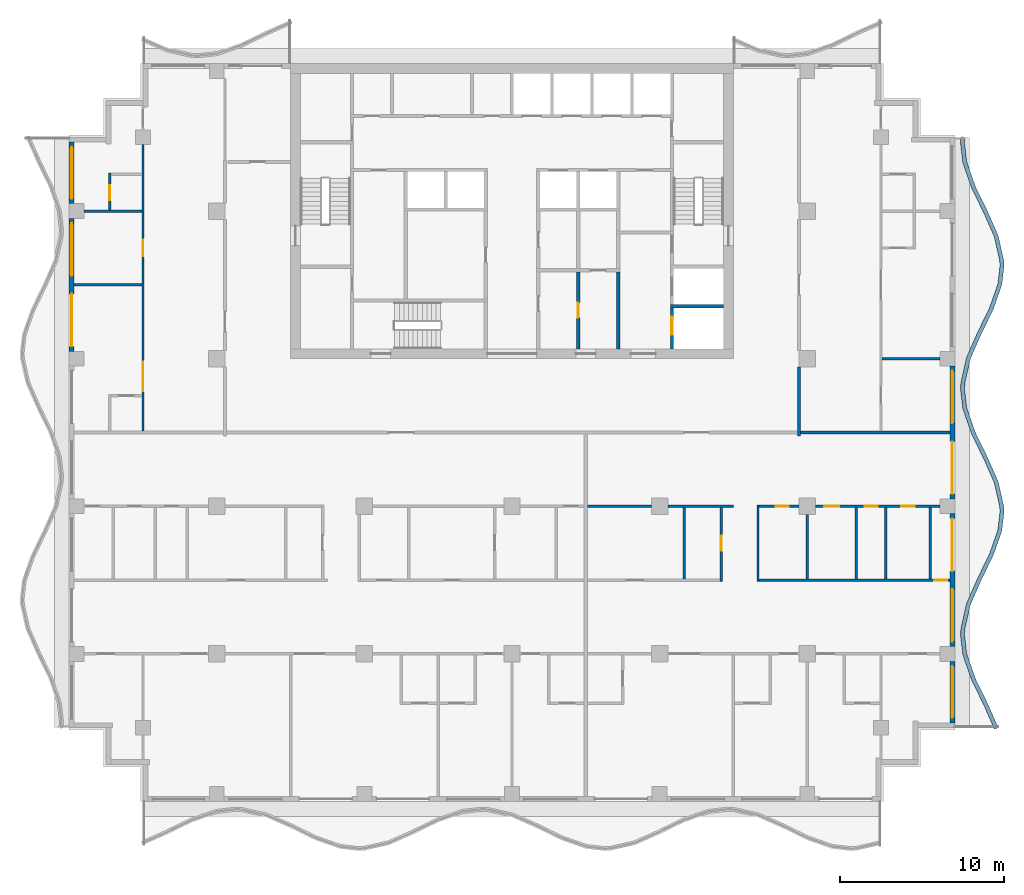
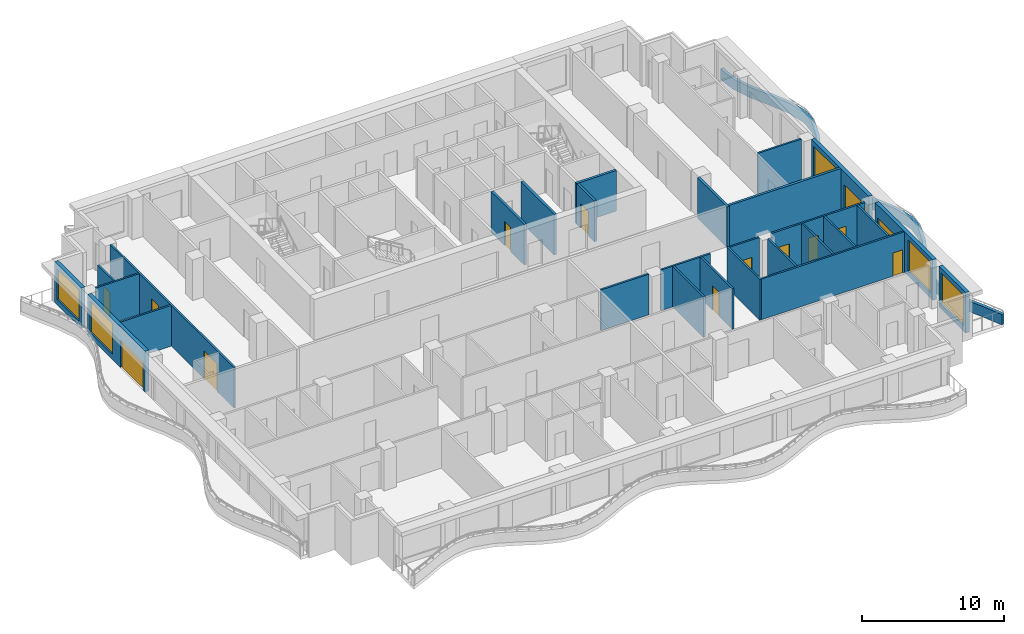
# One storey, part 4 of 11: 29 walls, 14 doors, 5 windows, 19 openings.
"""IFC4 building model written with IfcOpenShell, lengths in metres."""

import ifcopenshell
import ifcopenshell.guid

model = None  # the IFC model being written
_history = None  # IfcOwnerHistory: only IFC2X3 demands one
_inside = {}  # id of a spatial element -> (the spatial element, [elements in it])
_under = {}  # id of a project, library or spatial element -> (it, [spatial elements below it])
_declared = {}  # id of a project -> (the project, [libraries it declares])
_typed = {}  # id of a type object -> (the type object, [elements of that type])
_made_of = {}  # id of a material, layer set ... -> (it, [elements and type objects made of it])


def new_model(schema):
    """Start an empty IFC model of exactly this schema.

    Asked for "IFC4X3", IfcOpenShell would pick the latest addendum, in which some entities
    have other attributes; the version numbers below select the first issue.
    IFC2X3 requires an IfcOwnerHistory on every rooted entity: one is made here for all.
    """
    global model, _history
    if schema == "IFC4X3":
        model = ifcopenshell.file(schema_version=(4, 3, 0, 0))
    else:
        model = ifcopenshell.file(schema=schema)
    _inside.clear()
    _under.clear()
    _declared.clear()
    _typed.clear()
    _made_of.clear()
    _history = None
    if model.schema == "IFC2X3":
        org = make("IfcOrganization", Name="unknown")
        user = make(
            "IfcPersonAndOrganization",
            ThePerson=make("IfcPerson", FamilyName="unknown"),
            TheOrganization=org,
        )
        app = make(
            "IfcApplication",
            ApplicationDeveloper=org,
            Version="unknown",
            ApplicationFullName="unknown",
            ApplicationIdentifier="unknown",
        )
        _history = make(
            "IfcOwnerHistory",
            OwningUser=user,
            OwningApplication=app,
            ChangeAction="ADDED",
            CreationDate=0,
        )
    return model


def make(cls, **values):
    """One entity of the class cls with the attributes given. An attribute that is None is left unset."""
    return model.create_entity(
        cls, **{name: value for name, value in values.items() if value is not None}
    )


def rooted(cls, **values):
    """An entity with a GlobalId (a new one), such as an element, a storey or a relation."""
    return make(cls, GlobalId=ifcopenshell.guid.new(), OwnerHistory=_history, **values)


def si_unit(unit_type, name, prefix=None):
    """IfcSIUnit, for example si_unit("LENGTHUNIT", "METRE", prefix="MILLI")."""
    return make("IfcSIUnit", UnitType=unit_type, Prefix=prefix, Name=name)


def assignment(units):
    """IfcUnitAssignment: the units of a project."""
    return None if units is None else make("IfcUnitAssignment", Units=units)


def point(xyz):
    """IfcCartesianPoint."""
    return None if xyz is None else make("IfcCartesianPoint", Coordinates=xyz)


def direction(xyz):
    """IfcDirection."""
    return None if xyz is None else make("IfcDirection", DirectionRatios=xyz)


def frame(location, z_axis=None, x_axis=None):
    """IfcAxis2Placement3D, a coordinate frame: its origin and axes. An axis left out is left unset."""
    return make(
        "IfcAxis2Placement3D",
        Location=point(location),
        Axis=direction(z_axis),
        RefDirection=direction(x_axis),
    )


def frame_2d(location, x_axis=None):
    """IfcAxis2Placement2D, a coordinate frame in the plane: its origin and x axis."""
    return make(
        "IfcAxis2Placement2D", Location=point(location), RefDirection=direction(x_axis)
    )


def origin():
    """The frame at (0, 0, 0) with its axes left unset."""
    return frame((0.0, 0.0, 0.0))


def place(relative_to, where):
    """IfcLocalPlacement: puts the frame where relative to a parent placement (None: the world)."""
    return make(
        "IfcLocalPlacement", PlacementRelTo=relative_to, RelativePlacement=where
    )


def context(
    kind, dimensions, precision=None, world=None, true_north=None, identifier=None
):
    """IfcGeometricRepresentationContext, for example the 3D "Model" context."""
    return make(
        "IfcGeometricRepresentationContext",
        ContextIdentifier=identifier,
        ContextType=kind,
        CoordinateSpaceDimension=dimensions,
        Precision=precision,
        WorldCoordinateSystem=world,
        TrueNorth=true_north,
    )


def subcontext(parent, identifier, kind, view, scale=None):
    """IfcGeometricRepresentationSubContext, for example "Body" below "Model"."""
    return make(
        "IfcGeometricRepresentationSubContext",
        ContextIdentifier=identifier,
        ContextType=kind,
        ParentContext=parent,
        TargetScale=scale,
        TargetView=view,
    )


def project(units=None, contexts=None):
    """IfcProject with its units and contexts."""
    return rooted(
        "IfcProject",
        Name="project",
        RepresentationContexts=contexts,
        UnitsInContext=assignment(units),
    )


def spatial(cls, under=None, at=None, **own):
    """A site, building, storey or space (cls), placed at a placement, below another one or the project."""
    s = rooted(cls, ObjectPlacement=at, **own)
    if under is not None:
        _under.setdefault(under.id(), (under, []))[1].append(s)
    return s


def polyline(points):
    """IfcPolyline through the points."""
    return make("IfcPolyline", Points=[point(p) for p in points])


def profile(cls, at=None, kind="AREA", **sizes):
    """A parametric profile (cls). Its sizes go by their IFC names, for example OverallWidth=200.0."""
    return make(cls, ProfileType=kind, Position=at, **sizes)


def rectangle(**sizes):
    """IfcRectangleProfileDef."""
    return profile("IfcRectangleProfileDef", **sizes)


def outline(outer, holes=None, kind="AREA"):
    """IfcArbitraryClosedProfileDef: a profile drawn as a closed curve; with holes, ...WithVoids."""
    if holes is None:
        return make("IfcArbitraryClosedProfileDef", ProfileType=kind, OuterCurve=outer)
    return make(
        "IfcArbitraryProfileDefWithVoids",
        ProfileType=kind,
        OuterCurve=outer,
        InnerCurves=holes,
    )


def extrude(swept, where, along, depth):
    """IfcExtrudedAreaSolid: the profile swept, set in the frame where, extruded along a direction by depth."""
    return make(
        "IfcExtrudedAreaSolid",
        SweptArea=swept,
        Position=where,
        ExtrudedDirection=direction(along),
        Depth=depth,
    )


def shape(context_of_items, identifier, shape_type, items):
    """IfcShapeRepresentation: the items that make up one representation, for example the "Body"."""
    return make(
        "IfcShapeRepresentation",
        ContextOfItems=context_of_items,
        RepresentationIdentifier=identifier,
        RepresentationType=shape_type,
        Items=items,
    )


def material(Name=None, Category=None):
    """IfcMaterial."""
    return make("IfcMaterial", Name=Name, Category=Category)


def layer(
    of_material, thickness, ventilated=None, Name=None, Category=None, Priority=None
):
    """IfcMaterialLayer: one layer of a wall or slab, of a material (None: an air gap)."""
    return make(
        "IfcMaterialLayer",
        Material=of_material,
        LayerThickness=thickness,
        IsVentilated=ventilated,
        Name=Name,
        Category=Category,
        Priority=Priority,
    )


def layer_set(layers, Name=None):
    """IfcMaterialLayerSet."""
    return make("IfcMaterialLayerSet", MaterialLayers=layers, LayerSetName=Name)


def made_of(thing, what):
    """Note that an element or type object is made of a material, layer set ...; save() writes the relation."""
    if what is not None:
        _made_of.setdefault(what.id(), (what, []))[1].append(thing)
    return thing


def type_object(cls, material=None, **own):
    """A type object (cls), such as IfcWallType, which elements share."""
    return made_of(rooted(cls, **own), material)


def element(
    cls,
    number,
    at=None,
    inside=None,
    cuts=None,
    type_object=None,
    material=None,
    context=None,
    identifier="Body",
    shape_type=None,
    held_by="IfcProductDefinitionShape",
    body=None,
    shapes=None,
    **own,
):
    """One element of the class cls, such as IfcWall. Its Tag is "e" and its number.

    at: its placement. inside: the storey or other place that contains it. cuts: it is an
    opening in that element (IfcRelVoidsElement). A single representation is given by context,
    identifier, shape_type and body (its items); several are given by shapes. held_by: the class
    of the entity that holds the representations. save() writes the other relations.
    """
    e = rooted(cls, Tag="e%d" % number, ObjectPlacement=at, **own)
    if body is not None:
        shapes = [shape(context, identifier, shape_type, body)]
    if shapes is not None:
        e.Representation = make(held_by, Representations=shapes)
    if inside is not None:
        _inside.setdefault(inside.id(), (inside, []))[1].append(e)
    if cuts is not None:
        rooted(
            "IfcRelVoidsElement", RelatingBuildingElement=cuts, RelatedOpeningElement=e
        )
    if type_object is not None:
        _typed.setdefault(type_object.id(), (type_object, []))[1].append(e)
    return made_of(e, material)


def fill(opening, filler):
    """IfcRelFillsElement: the door or window that sits in an opening."""
    return rooted(
        "IfcRelFillsElement",
        RelatingOpeningElement=opening,
        RelatedBuildingElement=filler,
    )


def aggregate(whole, parts):
    """IfcRelAggregates: a whole, such as a stair, and the parts it consists of."""
    return rooted("IfcRelAggregates", RelatingObject=whole, RelatedObjects=parts)


def save(model, path):
    """Write the relations noted so far, then the file.

    IfcRelAggregates (storeys below a building ...), IfcRelContainedInSpatialStructure (elements
    in a storey), IfcRelDefinesByType, IfcRelAssociatesMaterial and IfcRelDeclares: one each for
    every whole, place, type object, material and project.
    """
    for whole, parts in _under.values():
        aggregate(whole, parts)
    for where, things in _inside.values():
        rooted(
            "IfcRelContainedInSpatialStructure",
            RelatedElements=things,
            RelatingStructure=where,
        )
    for kind, things in _typed.values():
        rooted("IfcRelDefinesByType", RelatedObjects=things, RelatingType=kind)
    for what, things in _made_of.values():
        rooted("IfcRelAssociatesMaterial", RelatedObjects=things, RelatingMaterial=what)
    for by, libraries in _declared.values():
        rooted("IfcRelDeclares", RelatingContext=by, RelatedDefinitions=libraries)
    model.write(path)


model = new_model("IFC4")

# Units and contexts
model_context = context("Model", 3, precision=1e-05, world=origin(), true_north=direction((0.0, 1.0)))
body_context = subcontext(model_context, "Body", "Model", "MODEL_VIEW")
ifc_project = project(units=[si_unit("LENGTHUNIT", "METRE"), si_unit("AREAUNIT", "SQUARE_METRE"), si_unit("VOLUMEUNIT", "CUBIC_METRE"), si_unit("PLANEANGLEUNIT", "RADIAN"), si_unit("MASSUNIT", "GRAM", prefix="KILO")], contexts=[model_context])

# Site, building, storey
site_placement = place(None, origin())
site = spatial("IfcSite", under=ifc_project, at=site_placement, CompositionType="ELEMENT")
building_placement = place(site_placement, origin())
building = spatial("IfcBuilding", under=site, at=building_placement, Name="Orbiselva Terraces", CompositionType="ELEMENT")
storey_placement = place(building_placement, frame((0.0, 0.0, 254.0)))
storey = spatial("IfcBuildingStorey", under=building, at=storey_placement, Name="L64", CompositionType="ELEMENT", Elevation=254.0)

# Wall, opening, door
ifc_material_1 = material(Name="Masonry blockwork", Category="masonry")
ifc_layer_1 = layer(ifc_material_1, 0.2)
ifc_layer_set_1 = layer_set([ifc_layer_1], Name="Masonry blockwork")
wall_type_1 = type_object("IfcWallType", Name="CORE-WALL-PARTITION-200", PredefinedType="PARTITIONING", material=ifc_layer_set_1)
wall_1_placement = place(storey_placement, frame((4.0375, 9.8, 0.0), z_axis=(0.0, 0.0, 1.0), x_axis=(0.0, -1.0, 0.0)))
wall_1 = element("IfcWall", 1, at=wall_1_placement, inside=storey, type_object=wall_type_1, Name="L64 core wall 29", PredefinedType="PARTITIONING", context=body_context, shape_type="SweptSolid", body=[
    extrude(rectangle(XDim=4.7, YDim=0.2, at=frame_2d((2.35, 0.0))), origin(), (0.0, 0.0, 1.0), 3.5),
])
opening_1_placement = place(wall_1_placement, frame((1.9, 0.0, 0.0)))
opening_1 = element("IfcOpeningElement", 2, at=opening_1_placement, cuts=wall_1, Name="Opening DR900", PredefinedType="OPENING", context=body_context, shape_type="SweptSolid", body=[
    extrude(rectangle(XDim=0.9, YDim=2.1, at=frame_2d((0.45, 1.05))), frame((0.0, 0.11, 0.0), z_axis=(0.0, -1.0, 0.0), x_axis=(1.0, 0.0, 0.0)), (0.0, 0.0, 1.0), 0.22),
])
ifc_material_2 = material(Name="Steel fire door", Category="steel")
door_type_1 = type_object("IfcDoorType", Name="ROOM DOOR 900", OperationType="NOTDEFINED", PredefinedType="DOOR", material=ifc_material_2)
door_1_placement = place(opening_1_placement, origin())
door_1 = element("IfcDoor", 3, at=door_1_placement, inside=storey, type_object=door_type_1, Name="L64 SPARE PARTS STORE door", OperationType="SINGLE_SWING_LEFT", OverallHeight=2.1, OverallWidth=0.9, PredefinedType="DOOR", context=body_context, shape_type="SweptSolid", body=[
    extrude(rectangle(XDim=0.9, YDim=2.1, at=frame_2d((0.45, 1.05))), frame((0.0, 0.025, 0.0), z_axis=(0.0, -1.0, 0.0), x_axis=(1.0, 0.0, 0.0)), (0.0, 0.0, 1.0), 0.05),
])
fill(opening_1, door_1)

# Wall
ifc_material_3 = material(Name="Concrete C60/75", Category="concrete")
ifc_layer_2 = layer(ifc_material_3, 0.2)
ifc_layer_set_2 = layer_set([ifc_layer_2], Name="Concrete C60/75")
wall_type_2 = type_object("IfcWallType", Name="CORE-WALL-SHEAR-200", PredefinedType="SHEAR", material=ifc_layer_set_2)
wall_2_placement = place(storey_placement, frame((6.475, 5.1, 0.0), z_axis=(0.0, 0.0, 1.0), x_axis=(0.0, 1.0, 0.0)))
element("IfcWall", 4, at=wall_2_placement, inside=storey, type_object=wall_type_2, Name="L64 core wall 33", PredefinedType="SHEAR", context=body_context, shape_type="SweptSolid", body=[
    extrude(rectangle(XDim=4.7, YDim=0.2, at=frame_2d((2.35, 0.0))), origin(), (0.0, 0.0, 1.0), 3.5),
])

# Wall, opening, door
wall_3_placement = place(storey_placement, frame((9.75, 5.1, 0.0), z_axis=(0.0, 0.0, 1.0), x_axis=(0.0, 1.0, 0.0)))
wall_3 = element("IfcWall", 5, at=wall_3_placement, inside=storey, type_object=wall_type_2, Name="L64 core wall 39", PredefinedType="SHEAR", context=body_context, shape_type="SweptSolid", body=[
    extrude(rectangle(XDim=2.5, YDim=0.2, at=frame_2d((1.25, 0.0))), origin(), (0.0, 0.0, 1.0), 3.5),
])
opening_2_placement = place(wall_3_placement, frame((0.85, 0.0, 0.0)))
opening_2 = element("IfcOpeningElement", 6, at=opening_2_placement, cuts=wall_3, Name="Opening LD-FF1", PredefinedType="OPENING", context=body_context, shape_type="SweptSolid", body=[
    extrude(rectangle(XDim=1.1, YDim=2.1, at=frame_2d((0.55, 1.05))), frame((0.0, 0.11, 0.0), z_axis=(0.0, -1.0, 0.0), x_axis=(1.0, 0.0, 0.0)), (0.0, 0.0, 1.0), 0.22),
])
ifc_material_4 = material(Name="Stainless steel landing door", Category="steel")
door_type_2 = type_object("IfcDoorType", Name="LANDING DOOR 1100", OperationType="SLIDING_TO_LEFT", PredefinedType="DOOR", material=ifc_material_4)
door_2_placement = place(opening_2_placement, origin())
door_2 = element("IfcDoor", 7, at=door_2_placement, inside=storey, type_object=door_type_2, Name="L64 landing door FF1", OperationType="SLIDING_TO_RIGHT", OverallHeight=2.1, OverallWidth=1.1, PredefinedType="DOOR", context=body_context, shape_type="SweptSolid", body=[
    extrude(rectangle(XDim=1.1, YDim=2.1, at=frame_2d((0.55, 1.05))), frame((0.0, 0.025, 0.0), z_axis=(0.0, -1.0, 0.0), x_axis=(1.0, 0.0, 0.0)), (0.0, 0.0, 1.0), 0.05),
])
fill(opening_2, door_2)

# Walls
wall_4_placement = place(storey_placement, frame((9.65, 7.7, 0.0), z_axis=(0.0, 0.0, 1.0), x_axis=(1.0, 0.0, 0.0)))
element("IfcWall", 8, at=wall_4_placement, inside=storey, type_object=wall_type_2, Name="L64 core wall 40", PredefinedType="SHEAR", context=body_context, shape_type="SweptSolid", body=[
    extrude(rectangle(XDim=3.25, YDim=0.2, at=frame_2d((1.625, 0.0))), origin(), (0.0, 0.0, 1.0), 3.5),
])
ifc_material_5 = material(Name="Concrete C40/50", Category="concrete")
ifc_layer_3 = layer(ifc_material_5, 0.25)
ifc_layer_set_3 = layer_set([ifc_layer_3], Name="Concrete C40/50")
wall_type_3 = type_object("IfcWallType", Name="ENV-PLANTER-250x900", PredefinedType="USERDEFINED", material=ifc_layer_set_3)
wall_5_placement = place(storey_placement, origin())
element("IfcWall", 9, at=wall_5_placement, inside=storey, type_object=wall_type_3, Name="Balcony planter L64 E", ObjectType="PLANTER", PredefinedType="USERDEFINED", context=body_context, shape_type="SweptSolid", body=[
    extrude(outline(polyline([(29.648528, -18.0), (28.987721, -16.5), (28.255211, -15.0), (27.730792, -13.5), (27.6, -12.375), (27.614774, -12.0), (27.951472, -10.5), (28.612279, -9.0), (29.344789, -7.5), (29.869208, -6.0), (30.0, -4.875), (29.985226, -4.5), (29.648528, -3.0), (28.987721, -1.5), (28.255211, 0.0), (27.730792, 1.5), (27.6, 2.625), (27.614774, 3.0), (27.951472, 4.5), (28.612279, 6.0), (29.344789, 7.5), (29.869208, 9.0), (30.0, 10.125), (29.985226, 10.5), (29.648528, 12.0), (28.987721, 13.5), (28.255211, 15.0), (27.730792, 16.5), (27.6, 17.625), (27.614774, 18.0), (27.364968, 18.009842), (27.349429, 17.615428), (27.485662, 16.443629), (28.024089, 14.90356), (28.760919, 13.394714), (29.40993, 11.921492), (29.736315, 10.467435), (29.749429, 10.134572), (29.624078, 9.056371), (29.113667, 7.59644), (28.385477, 6.105286), (27.712874, 4.578508), (27.365863, 3.032565), (27.349429, 2.615428), (27.485662, 1.443629), (28.024089, -0.09644), (28.760919, -1.605286), (29.40993, -3.078508), (29.736315, -4.532565), (29.749429, -4.865428), (29.624078, -5.943629), (29.113667, -7.40356), (28.385477, -8.894714), (27.712874, -10.421492), (27.365863, -11.967435), (27.349429, -12.384572), (27.485662, -13.556371), (28.024089, -15.09644), (28.760919, -16.605286), (29.419745, -18.100788), (29.648528, -18.0)])), origin(), (0.0, 0.0, 1.0), 0.9),
])

# Wall, opening, window
ifc_material_6 = material(Name="Terracotta cladding on masonry backing", Category="masonry")
ifc_layer_4 = layer(ifc_material_6, 0.3)
ifc_layer_set_4 = layer_set([ifc_layer_4], Name="Terracotta cladding on masonry backing")
wall_type_4 = type_object("IfcWallType", Name="ENV-WALL-TERRACOTTA-300", PredefinedType="SOLIDWALL", material=ifc_layer_set_4)
wall_6_placement = place(storey_placement, frame((26.85, -13.95, 0.0), z_axis=(0.0, 0.0, 1.0), x_axis=(0.0, -1.0, 0.0)))
wall_6 = element("IfcWall", 10, at=wall_6_placement, inside=storey, type_object=wall_type_4, Name="Facade wall L64 E", PredefinedType="SOLIDWALL", context=body_context, shape_type="SweptSolid", body=[
    extrude(rectangle(XDim=3.75, YDim=0.3, at=frame_2d((1.875, 0.0))), origin(), (0.0, 0.0, 1.0), 3.5),
])
opening_3_placement = place(wall_6_placement, frame((0.3, 0.0, 0.45)))
opening_3 = element("IfcOpeningElement", 11, at=opening_3_placement, cuts=wall_6, Name="Opening WN16", PredefinedType="OPENING", context=body_context, shape_type="SweptSolid", body=[
    extrude(rectangle(XDim=3.15, YDim=2.65, at=frame_2d((1.575, 1.325))), frame((0.0, 0.16, 0.0), z_axis=(0.0, -1.0, 0.0), x_axis=(1.0, 0.0, 0.0)), (0.0, 0.0, 1.0), 0.32),
])
ifc_material_7 = material(Name="Clear low-e glazing in aluminium frame", Category="aluminium")
window_type_1 = type_object("IfcWindowType", Name="WINDOW 3150 X 2650 S450", PartitioningType="TRIPLE_PANEL_VERTICAL", PredefinedType="WINDOW", material=ifc_material_7)
window_1_placement = place(opening_3_placement, origin())
window_1 = element("IfcWindow", 12, at=window_1_placement, inside=storey, type_object=window_type_1, Name="Window L64 E", OverallHeight=2.65, OverallWidth=3.15, PartitioningType="SINGLE_PANEL", PredefinedType="WINDOW", context=body_context, shape_type="SweptSolid", body=[
    extrude(rectangle(XDim=3.15, YDim=2.65, at=frame_2d((1.575, 1.325))), frame((0.0, 0.03, 0.0), z_axis=(0.0, -1.0, 0.0), x_axis=(1.0, 0.0, 0.0)), (0.0, 0.0, 1.0), 0.06),
])
fill(opening_3, window_1)

# Wall, openings, door, window
wall_7_placement = place(storey_placement, frame((26.85, -4.95, 0.0), z_axis=(0.0, 0.0, 1.0), x_axis=(0.0, -1.0, 0.0)))
wall_7 = element("IfcWall", 13, at=wall_7_placement, inside=storey, type_object=wall_type_4, Name="Facade wall L64 E", PredefinedType="SOLIDWALL", context=body_context, shape_type="SweptSolid", body=[
    extrude(rectangle(XDim=8.1, YDim=0.3, at=frame_2d((4.05, 0.0))), origin(), (0.0, 0.0, 1.0), 3.5),
])
opening_4_placement = place(wall_7_placement, frame((4.6, 0.0, 0.45)))
opening_4 = element("IfcOpeningElement", 14, at=opening_4_placement, cuts=wall_7, Name="Opening WN17", PredefinedType="OPENING", context=body_context, shape_type="SweptSolid", body=[
    extrude(rectangle(XDim=3.2, YDim=2.65, at=frame_2d((1.6, 1.325))), frame((0.0, 0.16, 0.0), z_axis=(0.0, -1.0, 0.0), x_axis=(1.0, 0.0, 0.0)), (0.0, 0.0, 1.0), 0.32),
])
opening_5_placement = place(wall_7_placement, frame((0.3, 0.0, 0.0)))
opening_5 = element("IfcOpeningElement", 15, at=opening_5_placement, cuts=wall_7, Name="Opening Z5-B-E14", PredefinedType="OPENING", context=body_context, shape_type="SweptSolid", body=[
    extrude(rectangle(XDim=3.2, YDim=2.4, at=frame_2d((1.6, 1.2))), frame((0.0, 0.16, 0.0), z_axis=(0.0, -1.0, 0.0), x_axis=(1.0, 0.0, 0.0)), (0.0, 0.0, 1.0), 0.32),
])
door_type_3 = type_object("IfcDoorType", Name="BALCONY DOOR 3200 X 2400", OperationType="DOUBLE_DOOR_SLIDING", PredefinedType="DOOR", material=ifc_material_7)
door_3_placement = place(opening_5_placement, origin())
door_3 = element("IfcDoor", 16, at=door_3_placement, inside=storey, type_object=door_type_3, Name="Z5-B-E14", OperationType="SINGLE_SWING_LEFT", OverallHeight=2.4, OverallWidth=3.2, PredefinedType="DOOR", context=body_context, shape_type="SweptSolid", body=[
    extrude(rectangle(XDim=3.2, YDim=2.4, at=frame_2d((1.6, 1.2))), frame((0.0, 0.025, 0.0), z_axis=(0.0, -1.0, 0.0), x_axis=(1.0, 0.0, 0.0)), (0.0, 0.0, 1.0), 0.05),
])
fill(opening_5, door_3)
window_type_2 = type_object("IfcWindowType", Name="WINDOW 3200 X 2650 S450", PartitioningType="TRIPLE_PANEL_VERTICAL", PredefinedType="WINDOW", material=ifc_material_7)
window_2_placement = place(opening_4_placement, origin())
window_2 = element("IfcWindow", 17, at=window_2_placement, inside=storey, type_object=window_type_2, Name="Window L64 E", OverallHeight=2.65, OverallWidth=3.2, PartitioningType="SINGLE_PANEL", PredefinedType="WINDOW", context=body_context, shape_type="SweptSolid", body=[
    extrude(rectangle(XDim=3.2, YDim=2.65, at=frame_2d((1.6, 1.325))), frame((0.0, 0.03, 0.0), z_axis=(0.0, -1.0, 0.0), x_axis=(1.0, 0.0, 0.0)), (0.0, 0.0, 1.0), 0.06),
])
fill(opening_4, window_2)

wall_8_placement = place(storey_placement, frame((26.85, 4.05, 0.0), z_axis=(0.0, 0.0, 1.0), x_axis=(0.0, -1.0, 0.0)))
wall_8 = element("IfcWall", 18, at=wall_8_placement, inside=storey, type_object=wall_type_4, Name="Facade wall L64 E", PredefinedType="SOLIDWALL", context=body_context, shape_type="SweptSolid", body=[
    extrude(rectangle(XDim=8.1, YDim=0.3, at=frame_2d((4.05, 0.0))), origin(), (0.0, 0.0, 1.0), 3.5),
])
opening_6_placement = place(wall_8_placement, frame((4.6, 0.0, 0.0)))
opening_6 = element("IfcOpeningElement", 19, at=opening_6_placement, cuts=wall_8, Name="Opening Z5-B-E06", PredefinedType="OPENING", context=body_context, shape_type="SweptSolid", body=[
    extrude(rectangle(XDim=3.2, YDim=2.4, at=frame_2d((1.6, 1.2))), frame((0.0, 0.16, 0.0), z_axis=(0.0, -1.0, 0.0), x_axis=(1.0, 0.0, 0.0)), (0.0, 0.0, 1.0), 0.32),
])
opening_7_placement = place(wall_8_placement, frame((0.3, 0.0, 0.45)))
opening_7 = element("IfcOpeningElement", 20, at=opening_7_placement, cuts=wall_8, Name="Opening WN17", PredefinedType="OPENING", context=body_context, shape_type="SweptSolid", body=[
    extrude(rectangle(XDim=3.2, YDim=2.65, at=frame_2d((1.6, 1.325))), frame((0.0, 0.16, 0.0), z_axis=(0.0, -1.0, 0.0), x_axis=(1.0, 0.0, 0.0)), (0.0, 0.0, 1.0), 0.32),
])
door_4_placement = place(opening_6_placement, origin())
door_4 = element("IfcDoor", 21, at=door_4_placement, inside=storey, type_object=door_type_3, Name="Z5-B-E06", OperationType="SINGLE_SWING_LEFT", OverallHeight=2.4, OverallWidth=3.2, PredefinedType="DOOR", context=body_context, shape_type="SweptSolid", body=[
    extrude(rectangle(XDim=3.2, YDim=2.4, at=frame_2d((1.6, 1.2))), frame((0.0, 0.025, 0.0), z_axis=(0.0, -1.0, 0.0), x_axis=(1.0, 0.0, 0.0)), (0.0, 0.0, 1.0), 0.05),
])
fill(opening_6, door_4)
window_3_placement = place(opening_7_placement, origin())
window_3 = element("IfcWindow", 22, at=window_3_placement, inside=storey, type_object=window_type_2, Name="Window L64 E", OverallHeight=2.65, OverallWidth=3.2, PartitioningType="SINGLE_PANEL", PredefinedType="WINDOW", context=body_context, shape_type="SweptSolid", body=[
    extrude(rectangle(XDim=3.2, YDim=2.65, at=frame_2d((1.6, 1.325))), frame((0.0, 0.03, 0.0), z_axis=(0.0, -1.0, 0.0), x_axis=(1.0, 0.0, 0.0)), (0.0, 0.0, 1.0), 0.06),
])
fill(opening_7, window_3)

# Wall, opening, window
wall_9_placement = place(storey_placement, frame((-26.85, 13.95, 0.0), z_axis=(0.0, 0.0, 1.0), x_axis=(0.0, 1.0, 0.0)))
wall_9 = element("IfcWall", 23, at=wall_9_placement, inside=storey, type_object=wall_type_4, Name="Facade wall L64 W", PredefinedType="SOLIDWALL", context=body_context, shape_type="SweptSolid", body=[
    extrude(rectangle(XDim=3.75, YDim=0.3, at=frame_2d((1.875, 0.0))), origin(), (0.0, 0.0, 1.0), 3.5),
])
opening_8_placement = place(wall_9_placement, frame((0.3, 0.0, 0.45)))
opening_8 = element("IfcOpeningElement", 24, at=opening_8_placement, cuts=wall_9, Name="Opening WN16", PredefinedType="OPENING", context=body_context, shape_type="SweptSolid", body=[
    extrude(rectangle(XDim=3.15, YDim=2.65, at=frame_2d((1.575, 1.325))), frame((0.0, 0.16, 0.0), z_axis=(0.0, -1.0, 0.0), x_axis=(1.0, 0.0, 0.0)), (0.0, 0.0, 1.0), 0.32),
])
window_4_placement = place(opening_8_placement, origin())
window_4 = element("IfcWindow", 25, at=window_4_placement, inside=storey, type_object=window_type_1, Name="Window L64 W", OverallHeight=2.65, OverallWidth=3.15, PartitioningType="SINGLE_PANEL", PredefinedType="WINDOW", context=body_context, shape_type="SweptSolid", body=[
    extrude(rectangle(XDim=3.15, YDim=2.65, at=frame_2d((1.575, 1.325))), frame((0.0, 0.03, 0.0), z_axis=(0.0, -1.0, 0.0), x_axis=(1.0, 0.0, 0.0)), (0.0, 0.0, 1.0), 0.06),
])
fill(opening_8, window_4)

# Wall, openings, door, window
wall_10_placement = place(storey_placement, frame((-26.85, 4.95, 0.0), z_axis=(0.0, 0.0, 1.0), x_axis=(0.0, 1.0, 0.0)))
wall_10 = element("IfcWall", 26, at=wall_10_placement, inside=storey, type_object=wall_type_4, Name="Facade wall L64 W", PredefinedType="SOLIDWALL", context=body_context, shape_type="SweptSolid", body=[
    extrude(rectangle(XDim=8.1, YDim=0.3, at=frame_2d((4.05, 0.0))), origin(), (0.0, 0.0, 1.0), 3.5),
])
opening_9_placement = place(wall_10_placement, frame((4.6, 0.0, 0.45)))
opening_9 = element("IfcOpeningElement", 27, at=opening_9_placement, cuts=wall_10, Name="Opening WN17", PredefinedType="OPENING", context=body_context, shape_type="SweptSolid", body=[
    extrude(rectangle(XDim=3.2, YDim=2.65, at=frame_2d((1.6, 1.325))), frame((0.0, 0.16, 0.0), z_axis=(0.0, -1.0, 0.0), x_axis=(1.0, 0.0, 0.0)), (0.0, 0.0, 1.0), 0.32),
])
opening_10_placement = place(wall_10_placement, frame((0.3, 0.0, 0.0)))
opening_10 = element("IfcOpeningElement", 28, at=opening_10_placement, cuts=wall_10, Name="Opening Z5-B-E17", PredefinedType="OPENING", context=body_context, shape_type="SweptSolid", body=[
    extrude(rectangle(XDim=3.2, YDim=2.4, at=frame_2d((1.6, 1.2))), frame((0.0, 0.16, 0.0), z_axis=(0.0, -1.0, 0.0), x_axis=(1.0, 0.0, 0.0)), (0.0, 0.0, 1.0), 0.32),
])
door_5_placement = place(opening_10_placement, origin())
door_5 = element("IfcDoor", 29, at=door_5_placement, inside=storey, type_object=door_type_3, Name="Z5-B-E17", OperationType="SINGLE_SWING_LEFT", OverallHeight=2.4, OverallWidth=3.2, PredefinedType="DOOR", context=body_context, shape_type="SweptSolid", body=[
    extrude(rectangle(XDim=3.2, YDim=2.4, at=frame_2d((1.6, 1.2))), frame((0.0, 0.025, 0.0), z_axis=(0.0, -1.0, 0.0), x_axis=(1.0, 0.0, 0.0)), (0.0, 0.0, 1.0), 0.05),
])
fill(opening_10, door_5)
window_5_placement = place(opening_9_placement, origin())
window_5 = element("IfcWindow", 30, at=window_5_placement, inside=storey, type_object=window_type_2, Name="Window L64 W", OverallHeight=2.65, OverallWidth=3.2, PartitioningType="SINGLE_PANEL", PredefinedType="WINDOW", context=body_context, shape_type="SweptSolid", body=[
    extrude(rectangle(XDim=3.2, YDim=2.65, at=frame_2d((1.6, 1.325))), frame((0.0, 0.03, 0.0), z_axis=(0.0, -1.0, 0.0), x_axis=(1.0, 0.0, 0.0)), (0.0, 0.0, 1.0), 0.06),
])
fill(opening_9, window_5)

# Wall
ifc_material_8 = material(Name="Plasterboard on steel stud partition", Category="steel")
ifc_layer_5 = layer(ifc_material_8, 0.2)
ifc_layer_set_5 = layer_set([ifc_layer_5], Name="Plasterboard on steel stud partition")
wall_type_5 = type_object("IfcWallType", Name="UNIT-ENTRANCE-WALL-200", PredefinedType="PARTITIONING", material=ifc_layer_set_5)
wall_11_placement = place(storey_placement, frame((17.5, -0.2, 0.0), z_axis=(0.0, 0.0, 1.0), x_axis=(0.0, 1.0, 0.0)))
element("IfcWall", 31, at=wall_11_placement, inside=storey, type_object=wall_type_5, Name="PARTITION L64-071", PredefinedType="PARTITIONING", context=body_context, shape_type="SweptSolid", body=[
    extrude(rectangle(XDim=4.2, YDim=0.2, at=frame_2d((2.1, 0.0))), origin(), (0.0, 0.0, 1.0), 3.5),
])

# Wall, opening, door
ifc_layer_6 = layer(ifc_material_8, 0.15)
ifc_layer_set_6 = layer_set([ifc_layer_6], Name="Plasterboard on steel stud partition")
wall_type_6 = type_object("IfcWallType", Name="UNIT-PARTITION-150", PredefinedType="PARTITIONING", material=ifc_layer_set_6)
wall_12_placement = place(storey_placement, frame((15.075, -9.0, 0.0), z_axis=(0.0, 0.0, 1.0), x_axis=(1.0, 0.0, 0.0)))
wall_12 = element("IfcWall", 32, at=wall_12_placement, inside=storey, type_object=wall_type_6, Name="PARTITION L64-017", PredefinedType="PARTITIONING", context=body_context, shape_type="SweptSolid", body=[
    extrude(rectangle(XDim=11.625, YDim=0.15, at=frame_2d((5.8125, 0.0))), origin(), (0.0, 0.0, 1.0), 3.5),
])
opening_11_placement = place(wall_12_placement, frame((10.675, 0.0, 0.0)))
opening_11 = element("IfcOpeningElement", 33, at=opening_11_placement, cuts=wall_12, Name="Opening Z5-B-39", PredefinedType="OPENING", context=body_context, shape_type="SweptSolid", body=[
    extrude(rectangle(XDim=0.8, YDim=2.0, at=frame_2d((0.4, 1.0))), frame((0.0, 0.085, 0.0), z_axis=(0.0, -1.0, 0.0), x_axis=(1.0, 0.0, 0.0)), (0.0, 0.0, 1.0), 0.17),
])
ifc_material_9 = material(Name="Painted timber door leaf", Category="wood")
door_type_4 = type_object("IfcDoorType", Name="STORE DOOR 800", OperationType="NOTDEFINED", PredefinedType="DOOR", material=ifc_material_9)
door_6_placement = place(opening_11_placement, origin())
door_6 = element("IfcDoor", 34, at=door_6_placement, inside=storey, type_object=door_type_4, Name="Z5-B-39", OperationType="SINGLE_SWING_RIGHT", OverallHeight=2.0, OverallWidth=0.8, PredefinedType="DOOR", context=body_context, shape_type="SweptSolid", body=[
    extrude(rectangle(XDim=0.8, YDim=2.0, at=frame_2d((0.4, 1.0))), frame((0.0, 0.025, 0.0), z_axis=(0.0, -1.0, 0.0), x_axis=(1.0, 0.0, 0.0)), (0.0, 0.0, 1.0), 0.05),
])
fill(opening_11, door_6)

# Walls
wall_13_placement = place(storey_placement, frame((4.6, -4.5, 0.0), z_axis=(0.0, 0.0, 1.0), x_axis=(1.0, 0.0, 0.0)))
element("IfcWall", 35, at=wall_13_placement, inside=storey, type_object=wall_type_6, Name="PARTITION L64-022", PredefinedType="PARTITIONING", context=body_context, shape_type="SweptSolid", body=[
    extrude(rectangle(XDim=3.9, YDim=0.15, at=frame_2d((1.95, 0.0))), origin(), (0.0, 0.0, 1.0), 3.5),
])
wall_14_placement = place(storey_placement, frame((9.5, -4.5, 0.0), z_axis=(0.0, 0.0, 1.0), x_axis=(1.0, 0.0, 0.0)))
element("IfcWall", 36, at=wall_14_placement, inside=storey, type_object=wall_type_6, Name="PARTITION L64-023", PredefinedType="PARTITIONING", context=body_context, shape_type="SweptSolid", body=[
    extrude(rectangle(XDim=4.0, YDim=0.15, at=frame_2d((2.0, 0.0))), origin(), (0.0, 0.0, 1.0), 3.5),
])

# Wall, opening, door
wall_15_placement = place(storey_placement, frame((17.5, -4.5, 0.0), z_axis=(0.0, 0.0, 1.0), x_axis=(-1.0, 0.0, 0.0)))
wall_15 = element("IfcWall", 37, at=wall_15_placement, inside=storey, type_object=wall_type_6, Name="PARTITION L64-024", PredefinedType="PARTITIONING", context=body_context, shape_type="SweptSolid", body=[
    extrude(rectangle(XDim=2.425, YDim=0.15, at=frame_2d((1.2125, 0.0))), origin(), (0.0, 0.0, 1.0), 3.5),
])
opening_12_placement = place(wall_15_placement, frame((0.625, 0.0, 0.0)))
opening_12 = element("IfcOpeningElement", 38, at=opening_12_placement, cuts=wall_15, Name="Opening Z5-B-35", PredefinedType="OPENING", context=body_context, shape_type="SweptSolid", body=[
    extrude(rectangle(XDim=0.8, YDim=2.0, at=frame_2d((0.4, 1.0))), frame((0.0, 0.085, 0.0), z_axis=(0.0, -1.0, 0.0), x_axis=(1.0, 0.0, 0.0)), (0.0, 0.0, 1.0), 0.17),
])
door_7_placement = place(opening_12_placement, origin())
door_7 = element("IfcDoor", 39, at=door_7_placement, inside=storey, type_object=door_type_4, Name="Z5-B-35", OperationType="SINGLE_SWING_LEFT", OverallHeight=2.0, OverallWidth=0.8, PredefinedType="DOOR", context=body_context, shape_type="SweptSolid", body=[
    extrude(rectangle(XDim=0.8, YDim=2.0, at=frame_2d((0.4, 1.0))), frame((0.0, 0.025, 0.0), z_axis=(0.0, -1.0, 0.0), x_axis=(1.0, 0.0, 0.0)), (0.0, 0.0, 1.0), 0.05),
])
fill(opening_12, door_7)

# Wall, openings, doors
wall_16_placement = place(storey_placement, frame((26.1, -4.5, 0.0), z_axis=(0.0, 0.0, 1.0), x_axis=(-1.0, 0.0, 0.0)))
wall_16 = element("IfcWall", 40, at=wall_16_placement, inside=storey, type_object=wall_type_6, Name="PARTITION L64-025", PredefinedType="PARTITIONING", context=body_context, shape_type="SweptSolid", body=[
    extrude(rectangle(XDim=7.6, YDim=0.15, at=frame_2d((3.8, 0.0))), origin(), (0.0, 0.0, 1.0), 3.5),
])
opening_13_placement = place(wall_16_placement, frame((6.15, 0.0, 0.0)))
opening_13 = element("IfcOpeningElement", 41, at=opening_13_placement, cuts=wall_16, Name="Opening Z5-B-36", PredefinedType="OPENING", context=body_context, shape_type="SweptSolid", body=[
    extrude(rectangle(XDim=0.9, YDim=2.1, at=frame_2d((0.45, 1.05))), frame((0.0, 0.085, 0.0), z_axis=(0.0, -1.0, 0.0), x_axis=(1.0, 0.0, 0.0)), (0.0, 0.0, 1.0), 0.17),
])
opening_14_placement = place(wall_16_placement, frame((3.8, 0.0, 0.0)))
opening_14 = element("IfcOpeningElement", 42, at=opening_14_placement, cuts=wall_16, Name="Opening Z5-B-37", PredefinedType="OPENING", context=body_context, shape_type="SweptSolid", body=[
    extrude(rectangle(XDim=0.8, YDim=2.0, at=frame_2d((0.4, 1.0))), frame((0.0, 0.085, 0.0), z_axis=(0.0, -1.0, 0.0), x_axis=(1.0, 0.0, 0.0)), (0.0, 0.0, 1.0), 0.17),
])
opening_15_placement = place(wall_16_placement, frame((1.55, 0.0, 0.0)))
opening_15 = element("IfcOpeningElement", 43, at=opening_15_placement, cuts=wall_16, Name="Opening Z5-B-38", PredefinedType="OPENING", context=body_context, shape_type="SweptSolid", body=[
    extrude(rectangle(XDim=0.8, YDim=2.0, at=frame_2d((0.4, 1.0))), frame((0.0, 0.085, 0.0), z_axis=(0.0, -1.0, 0.0), x_axis=(1.0, 0.0, 0.0)), (0.0, 0.0, 1.0), 0.17),
])
door_type_5 = type_object("IfcDoorType", Name="SERVICE DOOR 900", OperationType="NOTDEFINED", PredefinedType="DOOR", material=ifc_material_9)
door_8_placement = place(opening_13_placement, origin())
door_8 = element("IfcDoor", 44, at=door_8_placement, inside=storey, type_object=door_type_5, Name="Z5-B-36", OperationType="SINGLE_SWING_RIGHT", OverallHeight=2.1, OverallWidth=0.9, PredefinedType="DOOR", context=body_context, shape_type="SweptSolid", body=[
    extrude(rectangle(XDim=0.9, YDim=2.1, at=frame_2d((0.45, 1.05))), frame((0.0, 0.025, 0.0), z_axis=(0.0, -1.0, 0.0), x_axis=(1.0, 0.0, 0.0)), (0.0, 0.0, 1.0), 0.05),
])
fill(opening_13, door_8)
door_9_placement = place(opening_14_placement, origin())
door_9 = element("IfcDoor", 45, at=door_9_placement, inside=storey, type_object=door_type_4, Name="Z5-B-37", OperationType="SINGLE_SWING_RIGHT", OverallHeight=2.0, OverallWidth=0.8, PredefinedType="DOOR", context=body_context, shape_type="SweptSolid", body=[
    extrude(rectangle(XDim=0.8, YDim=2.0, at=frame_2d((0.4, 1.0))), frame((0.0, 0.025, 0.0), z_axis=(0.0, -1.0, 0.0), x_axis=(1.0, 0.0, 0.0)), (0.0, 0.0, 1.0), 0.05),
])
fill(opening_14, door_9)
door_10_placement = place(opening_15_placement, origin())
door_10 = element("IfcDoor", 46, at=door_10_placement, inside=storey, type_object=door_type_4, Name="Z5-B-38", OperationType="SINGLE_SWING_LEFT", OverallHeight=2.0, OverallWidth=0.8, PredefinedType="DOOR", context=body_context, shape_type="SweptSolid", body=[
    extrude(rectangle(XDim=0.8, YDim=2.0, at=frame_2d((0.4, 1.0))), frame((0.0, 0.025, 0.0), z_axis=(0.0, -1.0, 0.0), x_axis=(1.0, 0.0, 0.0)), (0.0, 0.0, 1.0), 0.05),
])
fill(opening_15, door_10)

# Walls
wall_17_placement = place(storey_placement, frame((22.575, 4.5, 0.0), z_axis=(0.0, 0.0, 1.0), x_axis=(1.0, 0.0, 0.0)))
element("IfcWall", 47, at=wall_17_placement, inside=storey, type_object=wall_type_6, Name="PARTITION L64-030", PredefinedType="PARTITIONING", context=body_context, shape_type="SweptSolid", body=[
    extrude(rectangle(XDim=3.525, YDim=0.15, at=frame_2d((1.7625, 0.0))), origin(), (0.0, 0.0, 1.0), 3.5),
])
wall_18_placement = place(storey_placement, frame((-26.7, 9.0, 0.0), z_axis=(0.0, 0.0, 1.0), x_axis=(1.0, 0.0, 0.0)))
element("IfcWall", 48, at=wall_18_placement, inside=storey, type_object=wall_type_6, Name="PARTITION L64-031", PredefinedType="PARTITIONING", context=body_context, shape_type="SweptSolid", body=[
    extrude(rectangle(XDim=4.125, YDim=0.15, at=frame_2d((2.0625, 0.0))), origin(), (0.0, 0.0, 1.0), 3.5),
])
wall_19_placement = place(storey_placement, frame((-26.1, 13.5, 0.0), z_axis=(0.0, 0.0, 1.0), x_axis=(1.0, 0.0, 0.0)))
element("IfcWall", 49, at=wall_19_placement, inside=storey, type_object=wall_type_6, Name="PARTITION L64-033", PredefinedType="PARTITIONING", context=body_context, shape_type="SweptSolid", body=[
    extrude(rectangle(XDim=3.525, YDim=0.15, at=frame_2d((1.7625, 0.0))), origin(), (0.0, 0.0, 1.0), 3.5),
])

# Wall, opening, door
wall_20_placement = place(storey_placement, frame((-24.525, 15.825, 0.0), z_axis=(0.0, 0.0, 1.0), x_axis=(0.0, -1.0, 0.0)))
wall_20 = element("IfcWall", 50, at=wall_20_placement, inside=storey, type_object=wall_type_6, Name="PARTITION L64-040", PredefinedType="PARTITIONING", context=body_context, shape_type="SweptSolid", body=[
    extrude(rectangle(XDim=2.25, YDim=0.15, at=frame_2d((1.125, 0.0))), origin(), (0.0, 0.0, 1.0), 3.5),
])
opening_16_placement = place(wall_20_placement, frame((0.75, 0.0, 0.0)))
opening_16 = element("IfcOpeningElement", 51, at=opening_16_placement, cuts=wall_20, Name="Opening Z5-B-07", PredefinedType="OPENING", context=body_context, shape_type="SweptSolid", body=[
    extrude(rectangle(XDim=0.9, YDim=2.1, at=frame_2d((0.45, 1.05))), frame((0.0, 0.085, 0.0), z_axis=(0.0, -1.0, 0.0), x_axis=(1.0, 0.0, 0.0)), (0.0, 0.0, 1.0), 0.17),
])
door_type_6 = type_object("IfcDoorType", Name="BATH DOOR 900", OperationType="NOTDEFINED", PredefinedType="DOOR", material=ifc_material_9)
door_11_placement = place(opening_16_placement, origin())
door_11 = element("IfcDoor", 52, at=door_11_placement, inside=storey, type_object=door_type_6, Name="Z5-B-07", OperationType="SINGLE_SWING_RIGHT", OverallHeight=2.1, OverallWidth=0.9, PredefinedType="DOOR", context=body_context, shape_type="SweptSolid", body=[
    extrude(rectangle(XDim=0.9, YDim=2.1, at=frame_2d((0.45, 1.05))), frame((0.0, 0.025, 0.0), z_axis=(0.0, -1.0, 0.0), x_axis=(1.0, 0.0, 0.0)), (0.0, 0.0, 1.0), 0.05),
])
fill(opening_16, door_11)

# Wall, openings, doors
wall_21_placement = place(storey_placement, frame((-22.5, 0.1, 0.0), z_axis=(0.0, 0.0, 1.0), x_axis=(0.0, 1.0, 0.0)))
wall_21 = element("IfcWall", 53, at=wall_21_placement, inside=storey, type_object=wall_type_6, Name="PARTITION L64-044", PredefinedType="PARTITIONING", context=body_context, shape_type="SweptSolid", body=[
    extrude(rectangle(XDim=17.45, YDim=0.15, at=frame_2d((8.725, 0.0))), origin(), (0.0, 0.0, 1.0), 3.5),
])
opening_17_placement = place(wall_21_placement, frame((2.4, 0.0, 0.0)))
opening_17 = element("IfcOpeningElement", 54, at=opening_17_placement, cuts=wall_21, Name="Opening Z5-B-03", PredefinedType="OPENING", context=body_context, shape_type="SweptSolid", body=[
    extrude(rectangle(XDim=1.8, YDim=2.4, at=frame_2d((0.9, 1.2))), frame((0.0, 0.085, 0.0), z_axis=(0.0, -1.0, 0.0), x_axis=(1.0, 0.0, 0.0)), (0.0, 0.0, 1.0), 0.17),
])
opening_18_placement = place(wall_21_placement, frame((10.65, 0.0, 0.0)))
opening_18 = element("IfcOpeningElement", 55, at=opening_18_placement, cuts=wall_21, Name="Opening Z5-B-05", PredefinedType="OPENING", context=body_context, shape_type="SweptSolid", body=[
    extrude(rectangle(XDim=1.0, YDim=2.4, at=frame_2d((0.5, 1.2))), frame((0.0, 0.085, 0.0), z_axis=(0.0, -1.0, 0.0), x_axis=(1.0, 0.0, 0.0)), (0.0, 0.0, 1.0), 0.17),
])
door_type_7 = type_object("IfcDoorType", Name="DOUBLE DOOR 1800", OperationType="NOTDEFINED", PredefinedType="DOOR", material=ifc_material_9)
door_12_placement = place(opening_17_placement, origin())
door_12 = element("IfcDoor", 56, at=door_12_placement, inside=storey, type_object=door_type_7, Name="Z5-B-03", OperationType="DOUBLE_DOOR_SINGLE_SWING", OverallHeight=2.4, OverallWidth=1.8, PredefinedType="DOOR", context=body_context, shape_type="SweptSolid", body=[
    extrude(rectangle(XDim=1.8, YDim=2.4, at=frame_2d((0.9, 1.2))), frame((0.0, 0.025, 0.0), z_axis=(0.0, -1.0, 0.0), x_axis=(1.0, 0.0, 0.0)), (0.0, 0.0, 1.0), 0.05),
])
fill(opening_17, door_12)
door_type_8 = type_object("IfcDoorType", Name="ROOM DOOR 1000", OperationType="NOTDEFINED", PredefinedType="DOOR", material=ifc_material_9)
door_13_placement = place(opening_18_placement, origin())
door_13 = element("IfcDoor", 57, at=door_13_placement, inside=storey, type_object=door_type_8, Name="Z5-B-05", OperationType="SINGLE_SWING_RIGHT", OverallHeight=2.4, OverallWidth=1.0, PredefinedType="DOOR", context=body_context, shape_type="SweptSolid", body=[
    extrude(rectangle(XDim=1.0, YDim=2.4, at=frame_2d((0.5, 1.2))), frame((0.0, 0.025, 0.0), z_axis=(0.0, -1.0, 0.0), x_axis=(1.0, 0.0, 0.0)), (0.0, 0.0, 1.0), 0.05),
])
fill(opening_18, door_13)

# Wall
wall_22_placement = place(storey_placement, frame((10.5, -8.925, 0.0), z_axis=(0.0, 0.0, 1.0), x_axis=(0.0, 1.0, 0.0)))
element("IfcWall", 58, at=wall_22_placement, inside=storey, type_object=wall_type_6, Name="PARTITION L64-066", PredefinedType="PARTITIONING", context=body_context, shape_type="SweptSolid", body=[
    extrude(rectangle(XDim=4.35, YDim=0.15, at=frame_2d((2.175, 0.0))), origin(), (0.0, 0.0, 1.0), 3.5),
])

# Wall, opening, door
wall_23_placement = place(storey_placement, frame((12.75, -9.075, 0.0), z_axis=(0.0, 0.0, 1.0), x_axis=(0.0, 1.0, 0.0)))
wall_23 = element("IfcWall", 59, at=wall_23_placement, inside=storey, type_object=wall_type_6, Name="PARTITION L64-067", PredefinedType="PARTITIONING", context=body_context, shape_type="SweptSolid", body=[
    extrude(rectangle(XDim=4.5, YDim=0.15, at=frame_2d((2.25, 0.0))), origin(), (0.0, 0.0, 1.0), 3.5),
])
opening_19_placement = place(wall_23_placement, frame((1.875, 0.0, 0.0)))
opening_19 = element("IfcOpeningElement", 60, at=opening_19_placement, cuts=wall_23, Name="Opening Z5-B-34", PredefinedType="OPENING", context=body_context, shape_type="SweptSolid", body=[
    extrude(rectangle(XDim=0.9, YDim=2.1, at=frame_2d((0.45, 1.05))), frame((0.0, 0.085, 0.0), z_axis=(0.0, -1.0, 0.0), x_axis=(1.0, 0.0, 0.0)), (0.0, 0.0, 1.0), 0.17),
])
door_14_placement = place(opening_19_placement, origin())
door_14 = element("IfcDoor", 61, at=door_14_placement, inside=storey, type_object=door_type_6, Name="Z5-B-34", OperationType="SINGLE_SWING_RIGHT", OverallHeight=2.1, OverallWidth=0.9, PredefinedType="DOOR", context=body_context, shape_type="SweptSolid", body=[
    extrude(rectangle(XDim=0.9, YDim=2.1, at=frame_2d((0.45, 1.05))), frame((0.0, 0.025, 0.0), z_axis=(0.0, -1.0, 0.0), x_axis=(1.0, 0.0, 0.0)), (0.0, 0.0, 1.0), 0.05),
])
fill(opening_19, door_14)

# Walls
wall_24_placement = place(storey_placement, frame((15.0, -9.075, 0.0), z_axis=(0.0, 0.0, 1.0), x_axis=(0.0, 1.0, 0.0)))
element("IfcWall", 62, at=wall_24_placement, inside=storey, type_object=wall_type_6, Name="PARTITION L64-069", PredefinedType="PARTITIONING", context=body_context, shape_type="SweptSolid", body=[
    extrude(rectangle(XDim=4.65, YDim=0.15, at=frame_2d((2.325, 0.0))), origin(), (0.0, 0.0, 1.0), 3.5),
])
wall_25_placement = place(storey_placement, frame((18.0, -8.925, 0.0), z_axis=(0.0, 0.0, 1.0), x_axis=(0.0, 1.0, 0.0)))
element("IfcWall", 63, at=wall_25_placement, inside=storey, type_object=wall_type_6, Name="PARTITION L64-075", PredefinedType="PARTITIONING", context=body_context, shape_type="SweptSolid", body=[
    extrude(rectangle(XDim=3.925, YDim=0.15, at=frame_2d((1.9625, 0.0))), origin(), (0.0, 0.0, 1.0), 3.5),
])
for number, where, z_axis, x_axis, name in (
    (64, (21.0, -8.925, 0.0), (0.0, 0.0, 1.0), (0.0, 1.0, 0.0), "PARTITION L64-077"),
    (65, (22.8, -8.925, 0.0), (0.0, 0.0, 1.0), (0.0, 1.0, 0.0), "PARTITION L64-082"),
    (66, (25.5, -8.925, 0.0), (0.0, 0.0, 1.0), (0.0, 1.0, 0.0), "PARTITION L64-084"),
):
    element("IfcWall", number, at=place(storey_placement, frame(where, z_axis=z_axis, x_axis=x_axis)), inside=storey, type_object=wall_type_6, Name=name, PredefinedType="PARTITIONING", context=body_context, shape_type="SweptSolid", body=[
        extrude(rectangle(XDim=4.35, YDim=0.15, at=frame_2d((2.175, 0.0))), origin(), (0.0, 0.0, 1.0), 3.5),
    ])
ifc_layer_7 = layer(ifc_material_8, 0.2)
ifc_layer_set_7 = layer_set([ifc_layer_7], Name="Plasterboard on steel stud partition")
wall_type_7 = type_object("IfcWallType", Name="UNIT-PARTY-WALL-200", PredefinedType="PARTITIONING", material=ifc_layer_set_7)
wall_26_placement = place(storey_placement, frame((17.6, 0.0, 0.0), z_axis=(0.0, 0.0, 1.0), x_axis=(1.0, 0.0, 0.0)))
element("IfcWall", 67, at=wall_26_placement, inside=storey, type_object=wall_type_7, Name="PARTITION L64-028", PredefinedType="PARTITIONING", context=body_context, shape_type="SweptSolid", body=[
    extrude(rectangle(XDim=9.1, YDim=0.2, at=frame_2d((4.55, 0.0))), origin(), (0.0, 0.0, 1.0), 3.5),
])

save(model, "model.ifc")
